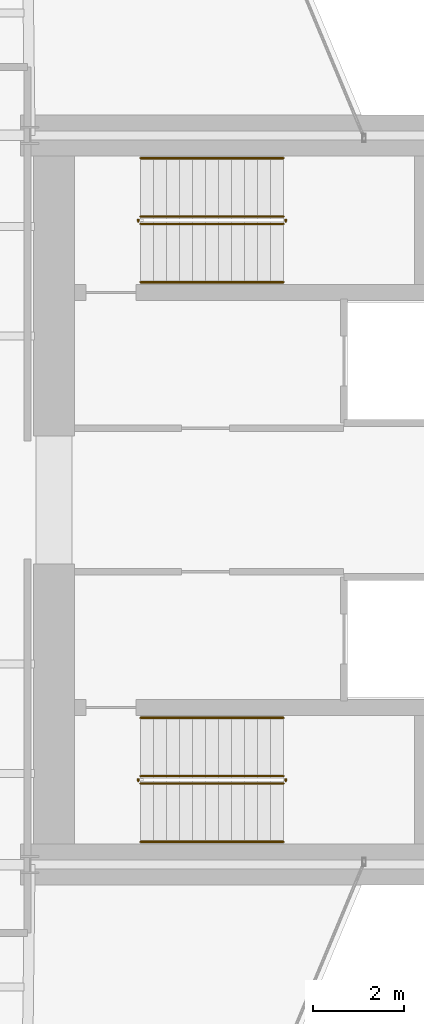
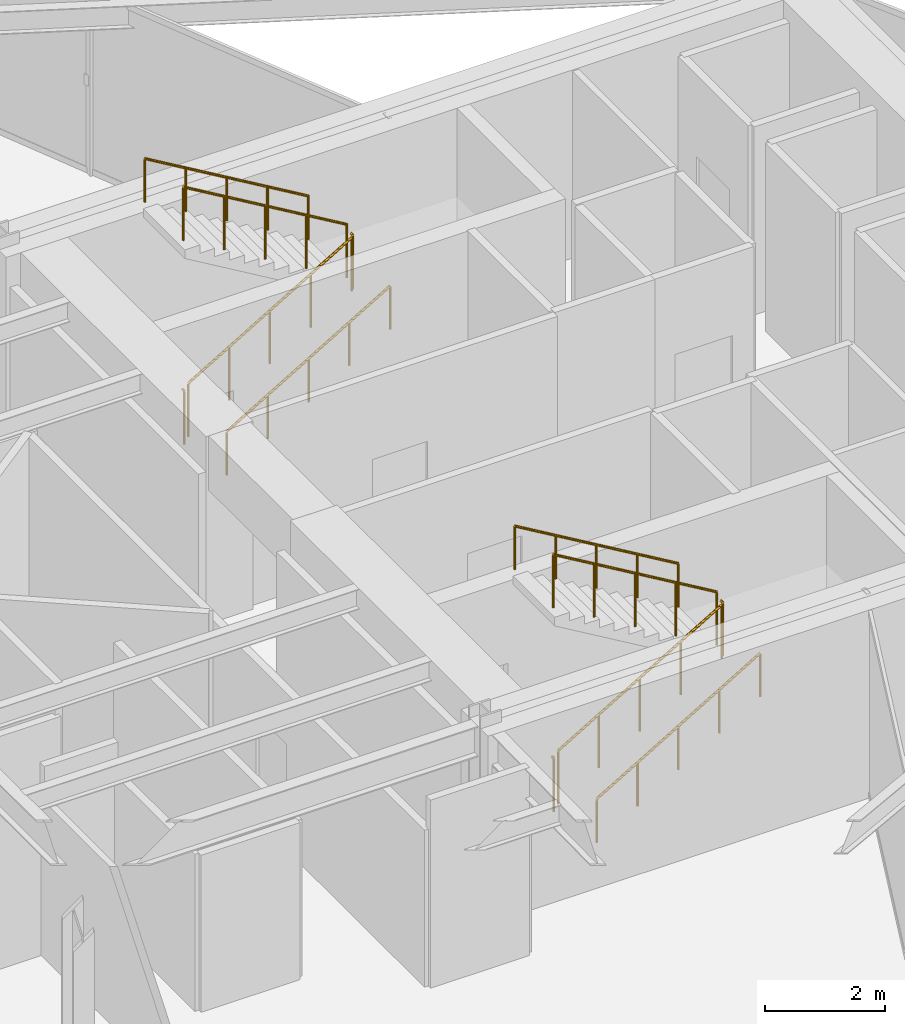
# One storey, part 25 of 25: 12 railings.
"""IFC4 building model written with IfcOpenShell, lengths in metres."""

from ifc_helpers import new_model, si_unit, direction, frame, origin, origin_2d, place, context, subcontext, project, spatial, circle, extrude, material, type_object, element, save


model = new_model("IFC4")

# Units and contexts
model_context = context("Model", 3, precision=1e-05, world=origin(), true_north=direction((0.0, 1.0)))
body_context = subcontext(model_context, "Body", "Model", "MODEL_VIEW")
ifc_project = project(units=[si_unit("LENGTHUNIT", "METRE"), si_unit("AREAUNIT", "SQUARE_METRE"), si_unit("VOLUMEUNIT", "CUBIC_METRE"), si_unit("PLANEANGLEUNIT", "RADIAN"), si_unit("MASSUNIT", "GRAM", prefix="KILO")], contexts=[model_context])

# Site, building, storey
site_placement = place(None, origin())
site = spatial("IfcSite", under=ifc_project, at=site_placement, CompositionType="ELEMENT")
building_placement = place(site_placement, origin())
building = spatial("IfcBuilding", under=site, at=building_placement, Name="Veymaron Broadcast Tower", CompositionType="ELEMENT")
storey_placement = place(building_placement, frame((0.0, 0.0, 74.25)))
storey = spatial("IfcBuildingStorey", under=building, at=storey_placement, Name="L16", CompositionType="ELEMENT", Elevation=74.25)

# Railings
ifc_material_1 = material(Name="Brushed stainless steel AISI 304", Category="steel")
railing_type_1 = type_object("IfcRailingType", Name="RAIL-STAIR-HR", PredefinedType="HANDRAIL", material=ifc_material_1)
railing_1_placement = place(storey_placement, frame((41.429931640625, 28.780029296875, 0.168701171875)))
element("IfcRailing", 1, at=railing_1_placement, inside=storey, type_object=railing_type_1, Name="L16 ST1 stair handrail 1", PredefinedType="HANDRAIL", context=body_context, shape_type="SweptSolid", body=[
    extrude(circle(Radius=0.02392578125, at=origin_2d()), frame((0.0, 0.0, 0.8759765625), z_axis=(0.860481960309, 0.0, 0.509480908359), x_axis=(0.0, 1.0, 0.0)), (0.0, 0.0, 1.0), 3.643310546875),
    extrude(circle(Radius=0.02099609375, at=origin_2d()), origin(), (0.0, 0.0, 1.0), 0.851806640625),
    extrude(circle(Radius=0.02099609375, at=origin_2d()), frame((0.78369140625, 0.0, 0.464111328125)), (0.0, 0.0, 1.0), 0.851806640625),
    extrude(circle(Radius=0.02099609375, at=origin_2d()), frame((1.5673828125, 0.0, 0.92822265625)), (0.0, 0.0, 1.0), 0.851806640625),
    extrude(circle(Radius=0.02099609375, at=origin_2d()), frame((2.351318359375, 0.0, 1.39208984375)), (0.0, 0.0, 1.0), 0.851806640625),
    extrude(circle(Radius=0.02099609375, at=origin_2d()), frame((3.135009765625, 0.0, 1.856201171875)), (0.0, 0.0, 1.0), 0.851806640625),
])
railing_2_placement = place(storey_placement, frame((44.56494140625, 31.5, 2.19384765625)))
element("IfcRailing", 2, at=railing_2_placement, inside=storey, type_object=railing_type_1, Name="L16 ST1 stair handrail 2", PredefinedType="HANDRAIL", context=body_context, shape_type="SweptSolid", body=[
    extrude(circle(Radius=0.02392578125, at=origin_2d()), frame((0.0, 0.0, 0.8759765625), z_axis=(-0.860481960309, 0.0, 0.509480908359), x_axis=(0.0, -1.0, 0.0)), (0.0, 0.0, 1.0), 3.643310546875),
    extrude(circle(Radius=0.02099609375, at=origin_2d()), origin(), (0.0, 0.0, 1.0), 0.851806640625),
    extrude(circle(Radius=0.02099609375, at=origin_2d()), frame((-0.78369140625, 0.0, 0.464111328125)), (0.0, 0.0, 1.0), 0.851806640625),
    extrude(circle(Radius=0.02099609375, at=origin_2d()), frame((-1.5673828125, 0.0, 0.92822265625)), (0.0, 0.0, 1.0), 0.851806640625),
    extrude(circle(Radius=0.02099609375, at=origin_2d()), frame((-2.351318359375, 0.0, 1.39208984375)), (0.0, 0.0, 1.0), 0.851806640625),
    extrude(circle(Radius=0.02099609375, at=origin_2d()), frame((-3.135009765625, 0.0, 1.856201171875)), (0.0, 0.0, 1.0), 0.851806640625),
])
railing_3_placement = place(storey_placement, frame((41.429931640625, 16.5, 0.168701171875)))
element("IfcRailing", 3, at=railing_3_placement, inside=storey, type_object=railing_type_1, Name="L16 ST2 stair handrail 1", PredefinedType="HANDRAIL", context=body_context, shape_type="SweptSolid", body=[
    extrude(circle(Radius=0.02392578125, at=origin_2d()), frame((0.0, 0.0, 0.8759765625), z_axis=(0.860481960309, 0.0, 0.509480908359), x_axis=(0.0, 1.0, 0.0)), (0.0, 0.0, 1.0), 3.643310546875),
    extrude(circle(Radius=0.02099609375, at=origin_2d()), origin(), (0.0, 0.0, 1.0), 0.851806640625),
    extrude(circle(Radius=0.02099609375, at=origin_2d()), frame((0.78369140625, 0.0, 0.464111328125)), (0.0, 0.0, 1.0), 0.851806640625),
    extrude(circle(Radius=0.02099609375, at=origin_2d()), frame((1.5673828125, 0.0, 0.92822265625)), (0.0, 0.0, 1.0), 0.851806640625),
    extrude(circle(Radius=0.02099609375, at=origin_2d()), frame((2.351318359375, 0.0, 1.39208984375)), (0.0, 0.0, 1.0), 0.851806640625),
    extrude(circle(Radius=0.02099609375, at=origin_2d()), frame((3.135009765625, 0.0, 1.856201171875)), (0.0, 0.0, 1.0), 0.851806640625),
])
railing_4_placement = place(storey_placement, frame((44.56494140625, 19.219970703125, 2.19384765625)))
element("IfcRailing", 4, at=railing_4_placement, inside=storey, type_object=railing_type_1, Name="L16 ST2 stair handrail 2", PredefinedType="HANDRAIL", context=body_context, shape_type="SweptSolid", body=[
    extrude(circle(Radius=0.02392578125, at=origin_2d()), frame((0.0, 0.0, 0.8759765625), z_axis=(-0.860481960309, 0.0, 0.509480908359), x_axis=(0.0, -1.0, 0.0)), (0.0, 0.0, 1.0), 3.643310546875),
    extrude(circle(Radius=0.02099609375, at=origin_2d()), origin(), (0.0, 0.0, 1.0), 0.851806640625),
    extrude(circle(Radius=0.02099609375, at=origin_2d()), frame((-0.78369140625, 0.0, 0.464111328125)), (0.0, 0.0, 1.0), 0.851806640625),
    extrude(circle(Radius=0.02099609375, at=origin_2d()), frame((-1.5673828125, 0.0, 0.92822265625)), (0.0, 0.0, 1.0), 0.851806640625),
    extrude(circle(Radius=0.02099609375, at=origin_2d()), frame((-2.351318359375, 0.0, 1.39208984375)), (0.0, 0.0, 1.0), 0.851806640625),
    extrude(circle(Radius=0.02099609375, at=origin_2d()), frame((-3.135009765625, 0.0, 1.856201171875)), (0.0, 0.0, 1.0), 0.851806640625),
])
ifc_material_2 = material(Name="Painted galvanized steel balustrade", Category="steel")
railing_type_2 = type_object("IfcRailingType", Name="RAIL-WELL-GRD", PredefinedType="GUARDRAIL", material=ifc_material_2)
railing_5_placement = place(storey_placement, frame((41.429931640625, 30.06005859375, 0.168701171875)))
element("IfcRailing", 5, at=railing_5_placement, inside=storey, type_object=railing_type_2, Name="L16 ST1 stair guard 1", PredefinedType="GUARDRAIL", context=body_context, shape_type="SweptSolid", body=[
    extrude(circle(Radius=0.02392578125, at=origin_2d()), frame((0.0, 0.0, 1.076171875), z_axis=(0.860481960309, 0.0, 0.509480908359), x_axis=(0.0, 1.0, 0.0)), (0.0, 0.0, 1.0), 3.643310546875),
    extrude(circle(Radius=0.02099609375, at=origin_2d()), origin(), (0.0, 0.0, 1.0), 1.052001953125),
    extrude(circle(Radius=0.02099609375, at=origin_2d()), frame((0.78369140625, 0.0, 0.464111328125)), (0.0, 0.0, 1.0), 1.052001953125),
    extrude(circle(Radius=0.02099609375, at=origin_2d()), frame((1.5673828125, 0.0, 0.92822265625)), (0.0, 0.0, 1.0), 1.052001953125),
    extrude(circle(Radius=0.02099609375, at=origin_2d()), frame((2.351318359375, 0.0, 1.39208984375)), (0.0, 0.0, 1.0), 1.052001953125),
    extrude(circle(Radius=0.02099609375, at=origin_2d()), frame((3.135009765625, 0.0, 1.856201171875)), (0.0, 0.0, 1.0), 1.052001953125),
])
railing_6_placement = place(storey_placement, frame((44.614990234375, 30.110107421875, 2.02490234375)))
element("IfcRailing", 6, at=railing_6_placement, inside=storey, type_object=railing_type_2, Name="L16 ST1 stair guard 2", PredefinedType="GUARDRAIL", context=body_context, shape_type="SweptSolid", body=[
    extrude(circle(Radius=0.02392578125, at=origin_2d()), frame((0.0, 0.0, 1.076171875), z_axis=(0.0, 1.0, 0.0), x_axis=(-1.0, 0.0, 0.0)), (0.0, 0.0, 1.0), 0.059814453125),
    extrude(circle(Radius=0.02099609375, at=origin_2d()), origin(), (0.0, 0.0, 1.0), 1.052001953125),
])
railing_7_placement = place(storey_placement, frame((44.56494140625, 30.219970703125, 2.19384765625)))
element("IfcRailing", 7, at=railing_7_placement, inside=storey, type_object=railing_type_2, Name="L16 ST1 stair guard 3", PredefinedType="GUARDRAIL", context=body_context, shape_type="SweptSolid", body=[
    extrude(circle(Radius=0.02392578125, at=origin_2d()), frame((0.0, 0.0, 1.076171875), z_axis=(-0.860481960309, 0.0, 0.509480908359), x_axis=(0.0, -1.0, 0.0)), (0.0, 0.0, 1.0), 3.643310546875),
    extrude(circle(Radius=0.02099609375, at=origin_2d()), origin(), (0.0, 0.0, 1.0), 1.052001953125),
    extrude(circle(Radius=0.02099609375, at=origin_2d()), frame((-0.78369140625, 0.0, 0.464111328125)), (0.0, 0.0, 1.0), 1.052001953125),
    extrude(circle(Radius=0.02099609375, at=origin_2d()), frame((-1.5673828125, 0.0, 0.92822265625)), (0.0, 0.0, 1.0), 1.052001953125),
    extrude(circle(Radius=0.02099609375, at=origin_2d()), frame((-2.351318359375, 0.0, 1.39208984375)), (0.0, 0.0, 1.0), 1.052001953125),
    extrude(circle(Radius=0.02099609375, at=origin_2d()), frame((-3.135009765625, 0.0, 1.856201171875)), (0.0, 0.0, 1.0), 1.052001953125),
])
railing_8_placement = place(storey_placement, frame((41.3798828125, 30.110107421875, 0.0)))
element("IfcRailing", 8, at=railing_8_placement, inside=storey, type_object=railing_type_2, Name="L16 ST1 stair guard 4", PredefinedType="GUARDRAIL", context=body_context, shape_type="SweptSolid", body=[
    extrude(circle(Radius=0.02392578125, at=origin_2d()), frame((0.0, 0.0, 1.076171875), z_axis=(0.0, 1.0, 0.0), x_axis=(-1.0, 0.0, 0.0)), (0.0, 0.0, 1.0), 0.059814453125),
    extrude(circle(Radius=0.02099609375, at=origin_2d()), origin(), (0.0, 0.0, 1.0), 1.052001953125),
])
railing_9_placement = place(storey_placement, frame((41.429931640625, 17.780029296875, 0.168701171875)))
element("IfcRailing", 9, at=railing_9_placement, inside=storey, type_object=railing_type_2, Name="L16 ST2 stair guard 1", PredefinedType="GUARDRAIL", context=body_context, shape_type="SweptSolid", body=[
    extrude(circle(Radius=0.02392578125, at=origin_2d()), frame((0.0, 0.0, 1.076171875), z_axis=(0.860481960309, 0.0, 0.509480908359), x_axis=(0.0, 1.0, 0.0)), (0.0, 0.0, 1.0), 3.643310546875),
    extrude(circle(Radius=0.02099609375, at=origin_2d()), origin(), (0.0, 0.0, 1.0), 1.052001953125),
    extrude(circle(Radius=0.02099609375, at=origin_2d()), frame((0.78369140625, 0.0, 0.464111328125)), (0.0, 0.0, 1.0), 1.052001953125),
    extrude(circle(Radius=0.02099609375, at=origin_2d()), frame((1.5673828125, 0.0, 0.92822265625)), (0.0, 0.0, 1.0), 1.052001953125),
    extrude(circle(Radius=0.02099609375, at=origin_2d()), frame((2.351318359375, 0.0, 1.39208984375)), (0.0, 0.0, 1.0), 1.052001953125),
    extrude(circle(Radius=0.02099609375, at=origin_2d()), frame((3.135009765625, 0.0, 1.856201171875)), (0.0, 0.0, 1.0), 1.052001953125),
])
railing_10_placement = place(storey_placement, frame((44.614990234375, 17.830078125, 2.02490234375)))
element("IfcRailing", 10, at=railing_10_placement, inside=storey, type_object=railing_type_2, Name="L16 ST2 stair guard 2", PredefinedType="GUARDRAIL", context=body_context, shape_type="SweptSolid", body=[
    extrude(circle(Radius=0.02392578125, at=origin_2d()), frame((0.0, 0.0, 1.076171875), z_axis=(0.0, 1.0, 0.0), x_axis=(-1.0, 0.0, 0.0)), (0.0, 0.0, 1.0), 0.059814453125),
    extrude(circle(Radius=0.02099609375, at=origin_2d()), origin(), (0.0, 0.0, 1.0), 1.052001953125),
])
railing_11_placement = place(storey_placement, frame((44.56494140625, 17.93994140625, 2.19384765625)))
element("IfcRailing", 11, at=railing_11_placement, inside=storey, type_object=railing_type_2, Name="L16 ST2 stair guard 3", PredefinedType="GUARDRAIL", context=body_context, shape_type="SweptSolid", body=[
    extrude(circle(Radius=0.02392578125, at=origin_2d()), frame((0.0, 0.0, 1.076171875), z_axis=(-0.860481960309, 0.0, 0.509480908359), x_axis=(0.0, -1.0, 0.0)), (0.0, 0.0, 1.0), 3.643310546875),
    extrude(circle(Radius=0.02099609375, at=origin_2d()), origin(), (0.0, 0.0, 1.0), 1.052001953125),
    extrude(circle(Radius=0.02099609375, at=origin_2d()), frame((-0.78369140625, 0.0, 0.464111328125)), (0.0, 0.0, 1.0), 1.052001953125),
    extrude(circle(Radius=0.02099609375, at=origin_2d()), frame((-1.5673828125, 0.0, 0.92822265625)), (0.0, 0.0, 1.0), 1.052001953125),
    extrude(circle(Radius=0.02099609375, at=origin_2d()), frame((-2.351318359375, 0.0, 1.39208984375)), (0.0, 0.0, 1.0), 1.052001953125),
    extrude(circle(Radius=0.02099609375, at=origin_2d()), frame((-3.135009765625, 0.0, 1.856201171875)), (0.0, 0.0, 1.0), 1.052001953125),
])
railing_12_placement = place(storey_placement, frame((41.3798828125, 17.830078125, 0.0)))
element("IfcRailing", 12, at=railing_12_placement, inside=storey, type_object=railing_type_2, Name="L16 ST2 stair guard 4", PredefinedType="GUARDRAIL", context=body_context, shape_type="SweptSolid", body=[
    extrude(circle(Radius=0.02392578125, at=origin_2d()), frame((0.0, 0.0, 1.076171875), z_axis=(0.0, 1.0, 0.0), x_axis=(-1.0, 0.0, 0.0)), (0.0, 0.0, 1.0), 0.059814453125),
    extrude(circle(Radius=0.02099609375, at=origin_2d()), origin(), (0.0, 0.0, 1.0), 1.052001953125),
])

save(model, "model.ifc")
